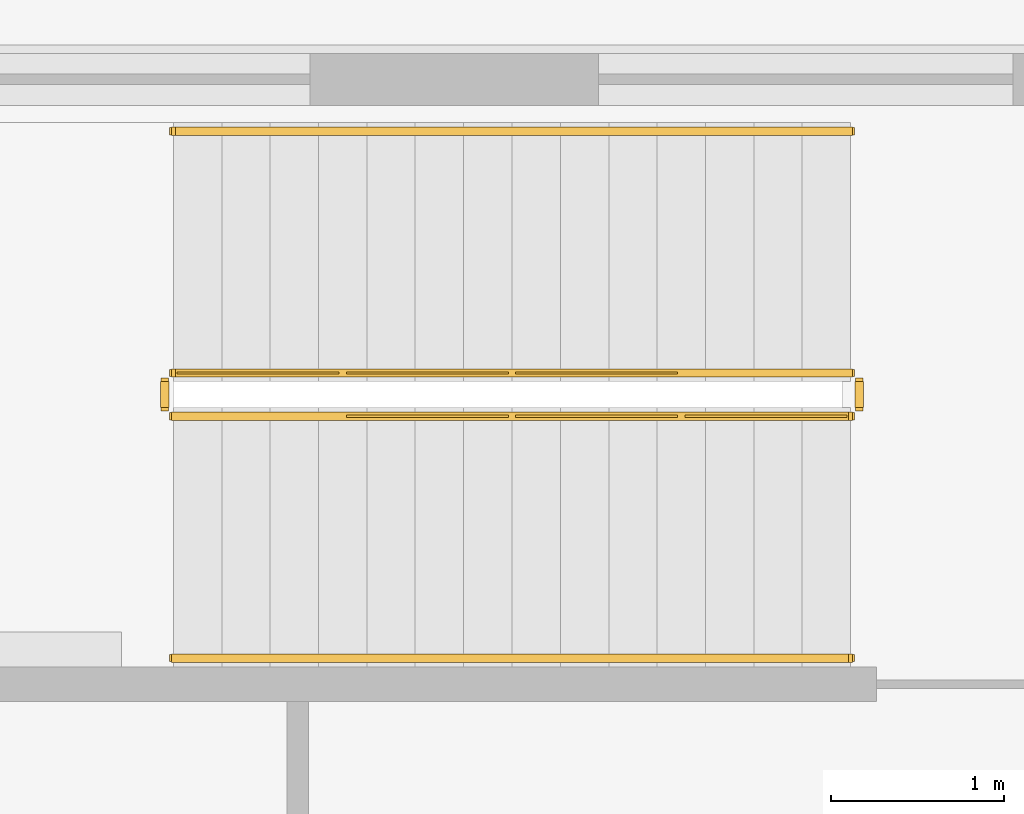
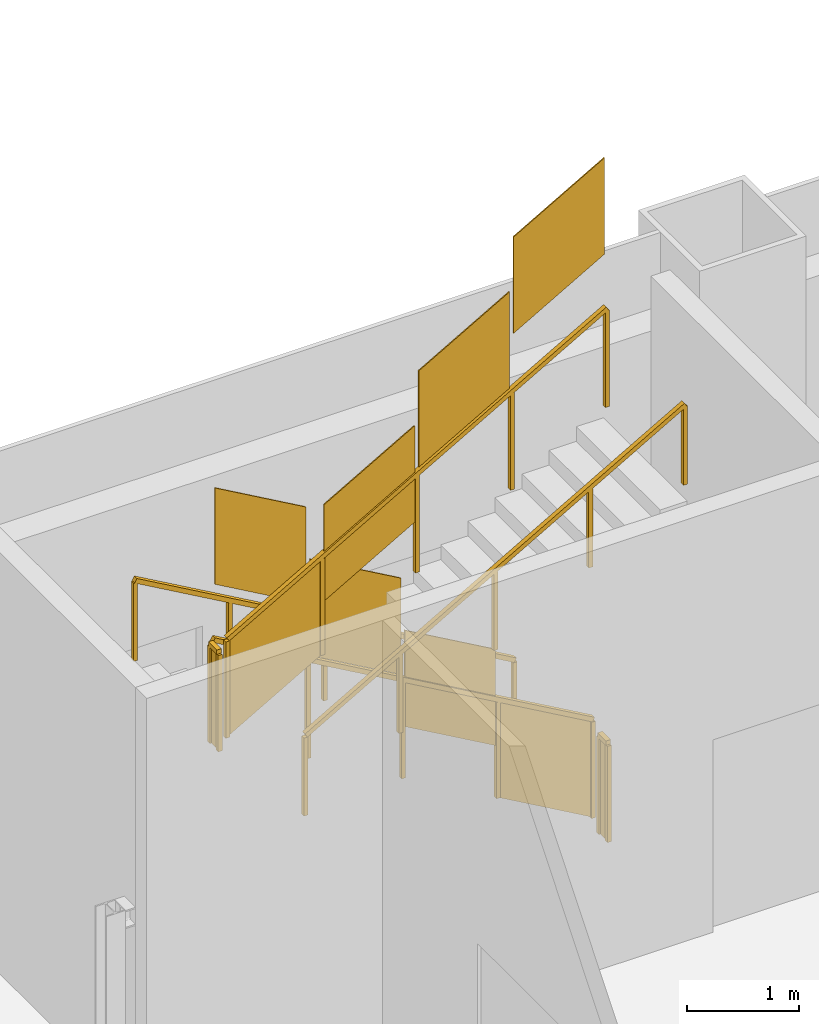
# One storey, part 22 of 25: 6 railings.
"""IFC4 building model written with IfcOpenShell, lengths in metres."""

from ifc_helpers import new_model, si_unit, direction, frame, origin, origin_2d, place, context, subcontext, project, spatial, polyline, rectangle, outline, extrude, material, type_object, element, save


model = new_model("IFC4")

# Units and contexts
model_context = context("Model", 3, precision=1e-05, world=origin(), true_north=direction((0.0, 1.0)))
body_context = subcontext(model_context, "Body", "Model", "MODEL_VIEW")
ifc_project = project(units=[si_unit("LENGTHUNIT", "METRE"), si_unit("AREAUNIT", "SQUARE_METRE"), si_unit("VOLUMEUNIT", "CUBIC_METRE"), si_unit("PLANEANGLEUNIT", "RADIAN"), si_unit("MASSUNIT", "GRAM", prefix="KILO")], contexts=[model_context])

# Site, building, storey
site_placement = place(None, origin())
site = spatial("IfcSite", under=ifc_project, at=site_placement, CompositionType="ELEMENT")
building_placement = place(site_placement, origin())
building = spatial("IfcBuilding", under=site, at=building_placement, Name="Cairn Pilgrim Tower", CompositionType="ELEMENT")
storey_placement = place(building_placement, frame((0.0, 0.0, 30.60009765625)))
storey = spatial("IfcBuildingStorey", under=building, at=storey_placement, Name="L05", CompositionType="ELEMENT", Elevation=30.60009765625)

# Railings
ifc_material = material(Name="Painted steel", Category="steel")
railing_type_1 = type_object("IfcRailingType", Name="PODIUM STAIR GUARD 1100", PredefinedType="GUARDRAIL", material=ifc_material)
railing_1_placement = place(storey_placement, frame((-25.60009765625, 26.5, 0.159912109375)))
element("IfcRailing", 1, at=railing_1_placement, inside=storey, type_object=railing_type_1, Name="L05 ST-HN stair guard 1", PredefinedType="GUARDRAIL", context=body_context, shape_type="SweptSolid", body=[
    extrude(rectangle(XDim=0.048095703125, YDim=0.048095703125, at=origin_2d()), frame((0.0, 0.0, 1.076171875), z_axis=(-0.868239814368, 0.0, 0.496144761885), x_axis=(0.0, -1.0, 0.0)), (0.0, 0.0, 1.0), 4.514892578125),
    extrude(rectangle(XDim=0.0419921875, YDim=0.0419921875, at=origin_2d()), origin(), (0.0, 0.0, 1.0), 1.052001953125),
    extrude(rectangle(XDim=0.0419921875, YDim=0.0419921875, at=origin_2d()), frame((-0.97998046875, 0.0, 0.56005859375)), (0.0, 0.0, 1.0), 1.052001953125),
    extrude(rectangle(XDim=0.0419921875, YDim=0.0419921875, at=origin_2d()), frame((-1.9599609375, 0.0, 1.1201171875)), (0.0, 0.0, 1.0), 1.052001953125),
    extrude(rectangle(XDim=0.0419921875, YDim=0.0419921875, at=origin_2d()), frame((-2.93994140625, 0.0, 1.679931640625)), (0.0, 0.0, 1.0), 1.052001953125),
    extrude(rectangle(XDim=0.0419921875, YDim=0.0419921875, at=origin_2d()), frame((-3.919921875, 0.0, 2.239990234375)), (0.0, 0.0, 1.0), 1.052001953125),
    extrude(outline(polyline([(0.02099609375, 0.011962890625), (0.958984375, 0.548095703125), (0.958984375, 1.60009765625), (0.02099609375, 1.06396484375), (0.02099609375, 0.011962890625)])), frame((0.0, -0.005859375, 0.0), z_axis=(0.0, 1.0, 0.0), x_axis=(-1.0, 0.0, 0.0)), (0.0, 0.0, 1.0), 0.011962890625),
    extrude(outline(polyline([(0.02099609375, 0.572021484375), (0.958984375, 1.10791015625), (0.958984375, 2.159912109375), (0.02099609375, 1.6240234375), (0.02099609375, 0.572021484375)])), frame((-0.97998046875, -0.005859375, 0.56005859375), z_axis=(0.0, 1.0, 0.0), x_axis=(-1.0, 0.0, 0.0)), (0.0, 0.0, 1.0), 0.011962890625),
    extrude(outline(polyline([(0.02099609375, 1.132080078125), (0.958984375, 1.66796875), (0.958984375, 2.719970703125), (0.02099609375, 2.18408203125), (0.02099609375, 1.132080078125)])), frame((-1.9599609375, -0.005859375, 1.1201171875), z_axis=(0.0, 1.0, 0.0), x_axis=(-1.0, 0.0, 0.0)), (0.0, 0.0, 1.0), 0.011962890625),
    extrude(outline(polyline([(0.02099609375, 1.69189453125), (0.958984375, 2.22802734375), (0.958984375, 3.280029296875), (0.02099609375, 2.743896484375), (0.02099609375, 1.69189453125)])), frame((-2.93994140625, -0.005859375, 1.679931640625), z_axis=(0.0, 1.0, 0.0), x_axis=(-1.0, 0.0, 0.0)), (0.0, 0.0, 1.0), 0.011962890625),
])
railing_2_placement = place(storey_placement, frame((-29.570068359375, 26.449951171875, 2.39990234375)))
element("IfcRailing", 2, at=railing_2_placement, inside=storey, type_object=railing_type_1, Name="L05 ST-HN stair guard 2", PredefinedType="GUARDRAIL", context=body_context, shape_type="SweptSolid", body=[
    extrude(rectangle(XDim=0.048095703125, YDim=0.048095703125, at=origin_2d()), frame((0.0, 0.0, 1.076171875), z_axis=(0.0, -1.0, 0.0), x_axis=(1.0, 0.0, 0.0)), (0.0, 0.0, 1.0), 0.14990234375),
    extrude(rectangle(XDim=0.0419921875, YDim=0.0419921875, at=origin_2d()), origin(), (0.0, 0.0, 1.0), 1.052001953125),
    extrude(rectangle(XDim=0.0419921875, YDim=0.0419921875, at=origin_2d()), frame((0.0, -0.14990234375, 0.0)), (0.0, 0.0, 1.0), 1.052001953125),
    extrude(outline(polyline([(0.02099609375, 0.0), (0.12890625, 0.0), (0.12890625, 1.052001953125), (0.02099609375, 1.052001953125), (0.02099609375, 0.0)])), frame((0.005859375, 0.0, 0.0), z_axis=(-1.0, 0.0, 0.0), x_axis=(0.0, -1.0, 0.0)), (0.0, 0.0, 1.0), 0.011962890625),
])
railing_3_placement = place(storey_placement, frame((-29.52001953125, 26.25, 2.559814453125)))
element("IfcRailing", 3, at=railing_3_placement, inside=storey, type_object=railing_type_1, Name="L05 ST-HN stair guard 3", PredefinedType="GUARDRAIL", context=body_context, shape_type="SweptSolid", body=[
    extrude(rectangle(XDim=0.048095703125, YDim=0.048095703125, at=origin_2d()), frame((0.0, 0.0, 1.076171875), z_axis=(0.868239814368, 0.0, 0.496144761885), x_axis=(0.0, 1.0, 0.0)), (0.0, 0.0, 1.0), 4.514892578125),
    extrude(rectangle(XDim=0.0419921875, YDim=0.0419921875, at=origin_2d()), origin(), (0.0, 0.0, 1.0), 1.052001953125),
    extrude(rectangle(XDim=0.0419921875, YDim=0.0419921875, at=origin_2d()), frame((0.97998046875, 0.0, 0.56005859375)), (0.0, 0.0, 1.0), 1.052001953125),
    extrude(rectangle(XDim=0.0419921875, YDim=0.0419921875, at=origin_2d()), frame((1.9599609375, 0.0, 1.1201171875)), (0.0, 0.0, 1.0), 1.052001953125),
    extrude(rectangle(XDim=0.0419921875, YDim=0.0419921875, at=origin_2d()), frame((2.93994140625, 0.0, 1.679931640625)), (0.0, 0.0, 1.0), 1.052001953125),
    extrude(rectangle(XDim=0.0419921875, YDim=0.0419921875, at=origin_2d()), frame((3.919921875, 0.0, 2.239990234375)), (0.0, 0.0, 1.0), 1.052001953125),
    extrude(outline(polyline([(0.02099609375, 0.011962890625), (0.958984375, 0.548095703125), (0.958984375, 1.60009765625), (0.02099609375, 1.06396484375), (0.02099609375, 0.011962890625)])), frame((0.0, 0.005859375, 0.0), z_axis=(0.0, -1.0, 0.0), x_axis=(1.0, 0.0, 0.0)), (0.0, 0.0, 1.0), 0.011962890625),
    extrude(outline(polyline([(0.02099609375, 0.572021484375), (0.958984375, 1.10791015625), (0.958984375, 2.159912109375), (0.02099609375, 1.6240234375), (0.02099609375, 0.572021484375)])), frame((0.97998046875, 0.005859375, 0.56005859375), z_axis=(0.0, -1.0, 0.0), x_axis=(1.0, 0.0, 0.0)), (0.0, 0.0, 1.0), 0.011962890625),
    extrude(outline(polyline([(0.02099609375, 1.132080078125), (0.958984375, 1.66796875), (0.958984375, 2.719970703125), (0.02099609375, 2.18408203125), (0.02099609375, 1.132080078125)])), frame((1.9599609375, 0.005859375, 1.1201171875), z_axis=(0.0, -1.0, 0.0), x_axis=(1.0, 0.0, 0.0)), (0.0, 0.0, 1.0), 0.011962890625),
    extrude(outline(polyline([(0.02099609375, 1.69189453125), (0.958984375, 2.22802734375), (0.958984375, 3.280029296875), (0.02099609375, 2.743896484375), (0.02099609375, 1.69189453125)])), frame((2.93994140625, 0.005859375, 1.679931640625), z_axis=(0.0, -1.0, 0.0), x_axis=(1.0, 0.0, 0.0)), (0.0, 0.0, 1.0), 0.011962890625),
])
railing_4_placement = place(storey_placement, frame((-25.550048828125, 26.449951171875, 0.0)))
element("IfcRailing", 4, at=railing_4_placement, inside=storey, type_object=railing_type_1, Name="L05 ST-HN stair guard 4", PredefinedType="GUARDRAIL", context=body_context, shape_type="SweptSolid", body=[
    extrude(rectangle(XDim=0.048095703125, YDim=0.048095703125, at=origin_2d()), frame((0.0, 0.0, 1.076171875), z_axis=(0.0, -1.0, 0.0), x_axis=(1.0, 0.0, 0.0)), (0.0, 0.0, 1.0), 0.14990234375),
    extrude(rectangle(XDim=0.0419921875, YDim=0.0419921875, at=origin_2d()), origin(), (0.0, 0.0, 1.0), 1.052001953125),
    extrude(rectangle(XDim=0.0419921875, YDim=0.0419921875, at=origin_2d()), frame((0.0, -0.14990234375, 0.0)), (0.0, 0.0, 1.0), 1.052001953125),
    extrude(outline(polyline([(0.02099609375, 0.0), (0.12890625, 0.0), (0.12890625, 1.052001953125), (0.02099609375, 1.052001953125), (0.02099609375, 0.0)])), frame((0.005859375, 0.0, 0.0), z_axis=(-1.0, 0.0, 0.0), x_axis=(0.0, -1.0, 0.0)), (0.0, 0.0, 1.0), 0.011962890625),
])
railing_type_2 = type_object("IfcRailingType", Name="PODIUM STAIR HANDRAIL 900", PredefinedType="HANDRAIL", material=ifc_material)
railing_5_placement = place(storey_placement, frame((-25.60009765625, 27.89990234375, 0.159912109375)))
element("IfcRailing", 5, at=railing_5_placement, inside=storey, type_object=railing_type_2, Name="L05 ST-HN stair handrail 1", PredefinedType="HANDRAIL", context=body_context, shape_type="SweptSolid", body=[
    extrude(rectangle(XDim=0.048095703125, YDim=0.048095703125, at=origin_2d()), frame((0.0, 0.0, 0.8759765625), z_axis=(-0.868239814368, 0.0, 0.496144761885), x_axis=(0.0, -1.0, 0.0)), (0.0, 0.0, 1.0), 4.514892578125),
    extrude(rectangle(XDim=0.0419921875, YDim=0.0419921875, at=origin_2d()), origin(), (0.0, 0.0, 1.0), 0.851806640625),
    extrude(rectangle(XDim=0.0419921875, YDim=0.0419921875, at=origin_2d()), frame((-0.97998046875, 0.0, 0.56005859375)), (0.0, 0.0, 1.0), 0.851806640625),
    extrude(rectangle(XDim=0.0419921875, YDim=0.0419921875, at=origin_2d()), frame((-1.9599609375, 0.0, 1.1201171875)), (0.0, 0.0, 1.0), 0.851806640625),
    extrude(rectangle(XDim=0.0419921875, YDim=0.0419921875, at=origin_2d()), frame((-2.93994140625, 0.0, 1.679931640625)), (0.0, 0.0, 1.0), 0.851806640625),
    extrude(rectangle(XDim=0.0419921875, YDim=0.0419921875, at=origin_2d()), frame((-3.919921875, 0.0, 2.239990234375)), (0.0, 0.0, 1.0), 0.851806640625),
])
railing_6_placement = place(storey_placement, frame((-29.52001953125, 24.85009765625, 2.559814453125)))
element("IfcRailing", 6, at=railing_6_placement, inside=storey, type_object=railing_type_2, Name="L05 ST-HN stair handrail 2", PredefinedType="HANDRAIL", context=body_context, shape_type="SweptSolid", body=[
    extrude(rectangle(XDim=0.048095703125, YDim=0.048095703125, at=origin_2d()), frame((0.0, 0.0, 0.8759765625), z_axis=(0.868239814368, 0.0, 0.496144761885), x_axis=(0.0, 1.0, 0.0)), (0.0, 0.0, 1.0), 4.514892578125),
    extrude(rectangle(XDim=0.0419921875, YDim=0.0419921875, at=origin_2d()), origin(), (0.0, 0.0, 1.0), 0.851806640625),
    extrude(rectangle(XDim=0.0419921875, YDim=0.0419921875, at=origin_2d()), frame((0.97998046875, 0.0, 0.56005859375)), (0.0, 0.0, 1.0), 0.851806640625),
    extrude(rectangle(XDim=0.0419921875, YDim=0.0419921875, at=origin_2d()), frame((1.9599609375, 0.0, 1.1201171875)), (0.0, 0.0, 1.0), 0.851806640625),
    extrude(rectangle(XDim=0.0419921875, YDim=0.0419921875, at=origin_2d()), frame((2.93994140625, 0.0, 1.679931640625)), (0.0, 0.0, 1.0), 0.851806640625),
    extrude(rectangle(XDim=0.0419921875, YDim=0.0419921875, at=origin_2d()), frame((3.919921875, 0.0, 2.239990234375)), (0.0, 0.0, 1.0), 0.851806640625),
])

save(model, "model.ifc")
